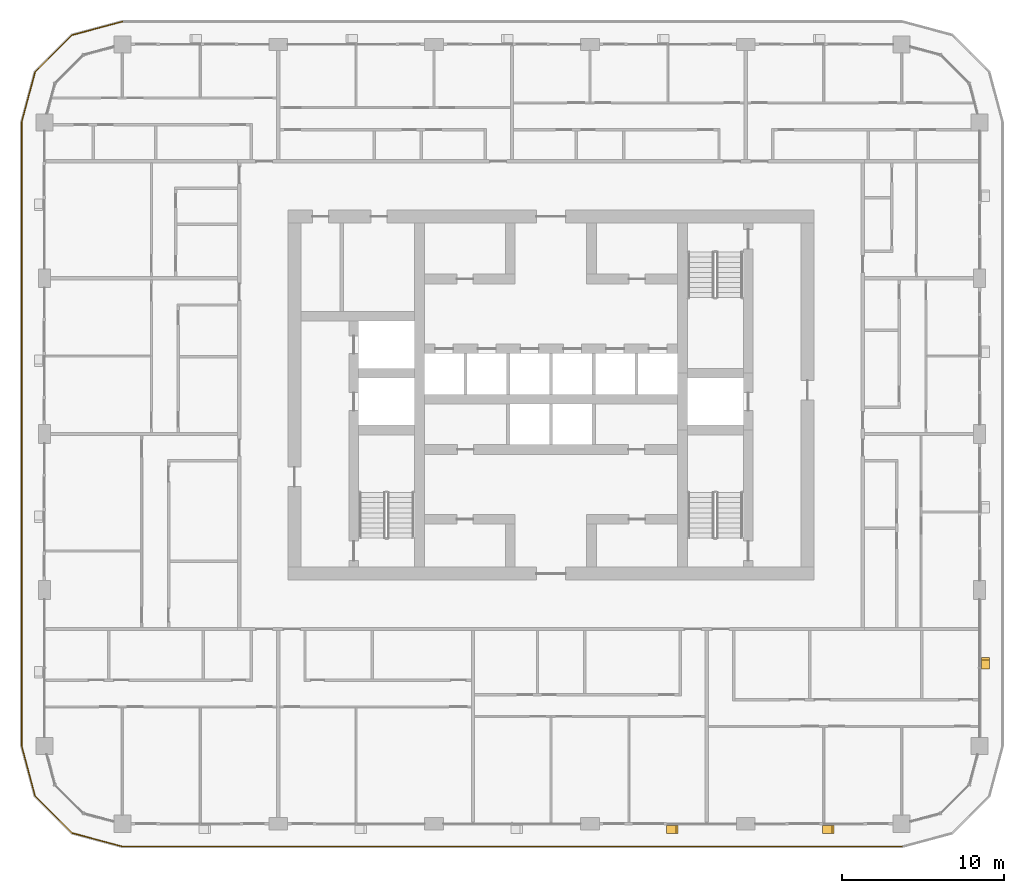
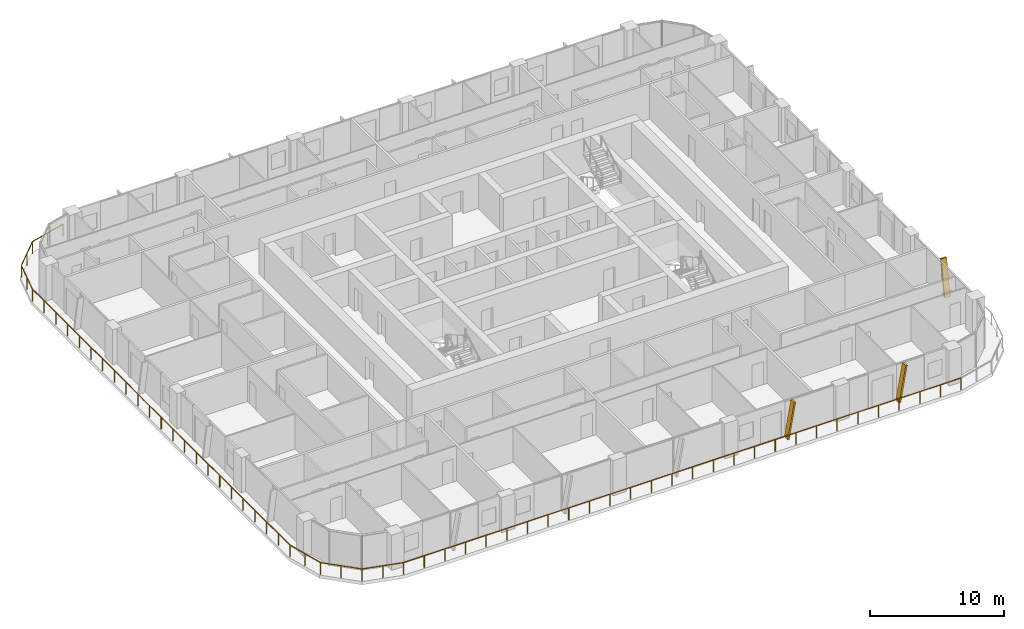
# One storey, part 19 of 22: 3 shading devices, 1 railing.
"""IFC4 building model written with IfcOpenShell, lengths in metres."""

import ifcopenshell
import ifcopenshell.guid

model = None  # the IFC model being written
_history = None  # IfcOwnerHistory: only IFC2X3 demands one
_inside = {}  # id of a spatial element -> (the spatial element, [elements in it])
_under = {}  # id of a project, library or spatial element -> (it, [spatial elements below it])
_declared = {}  # id of a project -> (the project, [libraries it declares])
_typed = {}  # id of a type object -> (the type object, [elements of that type])
_made_of = {}  # id of a material, layer set ... -> (it, [elements and type objects made of it])


def new_model(schema):
    """Start an empty IFC model of exactly this schema.

    Asked for "IFC4X3", IfcOpenShell would pick the latest addendum, in which some entities
    have other attributes; the version numbers below select the first issue.
    IFC2X3 requires an IfcOwnerHistory on every rooted entity: one is made here for all.
    """
    global model, _history
    if schema == "IFC4X3":
        model = ifcopenshell.file(schema_version=(4, 3, 0, 0))
    else:
        model = ifcopenshell.file(schema=schema)
    _inside.clear()
    _under.clear()
    _declared.clear()
    _typed.clear()
    _made_of.clear()
    _history = None
    if model.schema == "IFC2X3":
        org = make("IfcOrganization", Name="unknown")
        user = make(
            "IfcPersonAndOrganization",
            ThePerson=make("IfcPerson", FamilyName="unknown"),
            TheOrganization=org,
        )
        app = make(
            "IfcApplication",
            ApplicationDeveloper=org,
            Version="unknown",
            ApplicationFullName="unknown",
            ApplicationIdentifier="unknown",
        )
        _history = make(
            "IfcOwnerHistory",
            OwningUser=user,
            OwningApplication=app,
            ChangeAction="ADDED",
            CreationDate=0,
        )
    return model


def make(cls, **values):
    """One entity of the class cls with the attributes given. An attribute that is None is left unset."""
    return model.create_entity(
        cls, **{name: value for name, value in values.items() if value is not None}
    )


def rooted(cls, **values):
    """An entity with a GlobalId (a new one), such as an element, a storey or a relation."""
    return make(cls, GlobalId=ifcopenshell.guid.new(), OwnerHistory=_history, **values)


def si_unit(unit_type, name, prefix=None):
    """IfcSIUnit, for example si_unit("LENGTHUNIT", "METRE", prefix="MILLI")."""
    return make("IfcSIUnit", UnitType=unit_type, Prefix=prefix, Name=name)


def assignment(units):
    """IfcUnitAssignment: the units of a project."""
    return None if units is None else make("IfcUnitAssignment", Units=units)


def point(xyz):
    """IfcCartesianPoint."""
    return None if xyz is None else make("IfcCartesianPoint", Coordinates=xyz)


def direction(xyz):
    """IfcDirection."""
    return None if xyz is None else make("IfcDirection", DirectionRatios=xyz)


def frame(location, z_axis=None, x_axis=None):
    """IfcAxis2Placement3D, a coordinate frame: its origin and axes. An axis left out is left unset."""
    return make(
        "IfcAxis2Placement3D",
        Location=point(location),
        Axis=direction(z_axis),
        RefDirection=direction(x_axis),
    )


def frame_2d(location, x_axis=None):
    """IfcAxis2Placement2D, a coordinate frame in the plane: its origin and x axis."""
    return make(
        "IfcAxis2Placement2D", Location=point(location), RefDirection=direction(x_axis)
    )


def origin():
    """The frame at (0, 0, 0) with its axes left unset."""
    return frame((0.0, 0.0, 0.0))


def origin_2d():
    """The frame at (0, 0) in the plane with its x axis left unset."""
    return frame_2d((0.0, 0.0))


def place(relative_to, where):
    """IfcLocalPlacement: puts the frame where relative to a parent placement (None: the world)."""
    return make(
        "IfcLocalPlacement", PlacementRelTo=relative_to, RelativePlacement=where
    )


def context(
    kind, dimensions, precision=None, world=None, true_north=None, identifier=None
):
    """IfcGeometricRepresentationContext, for example the 3D "Model" context."""
    return make(
        "IfcGeometricRepresentationContext",
        ContextIdentifier=identifier,
        ContextType=kind,
        CoordinateSpaceDimension=dimensions,
        Precision=precision,
        WorldCoordinateSystem=world,
        TrueNorth=true_north,
    )


def subcontext(parent, identifier, kind, view, scale=None):
    """IfcGeometricRepresentationSubContext, for example "Body" below "Model"."""
    return make(
        "IfcGeometricRepresentationSubContext",
        ContextIdentifier=identifier,
        ContextType=kind,
        ParentContext=parent,
        TargetScale=scale,
        TargetView=view,
    )


def project(units=None, contexts=None):
    """IfcProject with its units and contexts."""
    return rooted(
        "IfcProject",
        Name="project",
        RepresentationContexts=contexts,
        UnitsInContext=assignment(units),
    )


def spatial(cls, under=None, at=None, **own):
    """A site, building, storey or space (cls), placed at a placement, below another one or the project."""
    s = rooted(cls, ObjectPlacement=at, **own)
    if under is not None:
        _under.setdefault(under.id(), (under, []))[1].append(s)
    return s


def polyline(points):
    """IfcPolyline through the points."""
    return make("IfcPolyline", Points=[point(p) for p in points])


def profile(cls, at=None, kind="AREA", **sizes):
    """A parametric profile (cls). Its sizes go by their IFC names, for example OverallWidth=200.0."""
    return make(cls, ProfileType=kind, Position=at, **sizes)


def circle(**sizes):
    """IfcCircleProfileDef."""
    return profile("IfcCircleProfileDef", **sizes)


def outline(outer, holes=None, kind="AREA"):
    """IfcArbitraryClosedProfileDef: a profile drawn as a closed curve; with holes, ...WithVoids."""
    if holes is None:
        return make("IfcArbitraryClosedProfileDef", ProfileType=kind, OuterCurve=outer)
    return make(
        "IfcArbitraryProfileDefWithVoids",
        ProfileType=kind,
        OuterCurve=outer,
        InnerCurves=holes,
    )


def extrude(swept, where, along, depth):
    """IfcExtrudedAreaSolid: the profile swept, set in the frame where, extruded along a direction by depth."""
    return make(
        "IfcExtrudedAreaSolid",
        SweptArea=swept,
        Position=where,
        ExtrudedDirection=direction(along),
        Depth=depth,
    )


def shape(context_of_items, identifier, shape_type, items):
    """IfcShapeRepresentation: the items that make up one representation, for example the "Body"."""
    return make(
        "IfcShapeRepresentation",
        ContextOfItems=context_of_items,
        RepresentationIdentifier=identifier,
        RepresentationType=shape_type,
        Items=items,
    )


def material(Name=None, Category=None):
    """IfcMaterial."""
    return make("IfcMaterial", Name=Name, Category=Category)


def made_of(thing, what):
    """Note that an element or type object is made of a material, layer set ...; save() writes the relation."""
    if what is not None:
        _made_of.setdefault(what.id(), (what, []))[1].append(thing)
    return thing


def type_object(cls, material=None, **own):
    """A type object (cls), such as IfcWallType, which elements share."""
    return made_of(rooted(cls, **own), material)


def element(
    cls,
    number,
    at=None,
    inside=None,
    cuts=None,
    type_object=None,
    material=None,
    context=None,
    identifier="Body",
    shape_type=None,
    held_by="IfcProductDefinitionShape",
    body=None,
    shapes=None,
    **own,
):
    """One element of the class cls, such as IfcWall. Its Tag is "e" and its number.

    at: its placement. inside: the storey or other place that contains it. cuts: it is an
    opening in that element (IfcRelVoidsElement). A single representation is given by context,
    identifier, shape_type and body (its items); several are given by shapes. held_by: the class
    of the entity that holds the representations. save() writes the other relations.
    """
    e = rooted(cls, Tag="e%d" % number, ObjectPlacement=at, **own)
    if body is not None:
        shapes = [shape(context, identifier, shape_type, body)]
    if shapes is not None:
        e.Representation = make(held_by, Representations=shapes)
    if inside is not None:
        _inside.setdefault(inside.id(), (inside, []))[1].append(e)
    if cuts is not None:
        rooted(
            "IfcRelVoidsElement", RelatingBuildingElement=cuts, RelatedOpeningElement=e
        )
    if type_object is not None:
        _typed.setdefault(type_object.id(), (type_object, []))[1].append(e)
    return made_of(e, material)


def aggregate(whole, parts):
    """IfcRelAggregates: a whole, such as a stair, and the parts it consists of."""
    return rooted("IfcRelAggregates", RelatingObject=whole, RelatedObjects=parts)


def save(model, path):
    """Write the relations noted so far, then the file.

    IfcRelAggregates (storeys below a building ...), IfcRelContainedInSpatialStructure (elements
    in a storey), IfcRelDefinesByType, IfcRelAssociatesMaterial and IfcRelDeclares: one each for
    every whole, place, type object, material and project.
    """
    for whole, parts in _under.values():
        aggregate(whole, parts)
    for where, things in _inside.values():
        rooted(
            "IfcRelContainedInSpatialStructure",
            RelatedElements=things,
            RelatingStructure=where,
        )
    for kind, things in _typed.values():
        rooted("IfcRelDefinesByType", RelatedObjects=things, RelatingType=kind)
    for what, things in _made_of.values():
        rooted("IfcRelAssociatesMaterial", RelatedObjects=things, RelatingMaterial=what)
    for by, libraries in _declared.values():
        rooted("IfcRelDeclares", RelatingContext=by, RelatedDefinitions=libraries)
    model.write(path)


model = new_model("IFC4")

# Units and contexts
model_context = context("Model", 3, precision=1e-05, world=origin(), true_north=direction((0.0, 1.0)))
body_context = subcontext(model_context, "Body", "Model", "MODEL_VIEW")
ifc_project = project(units=[si_unit("LENGTHUNIT", "METRE"), si_unit("AREAUNIT", "SQUARE_METRE"), si_unit("VOLUMEUNIT", "CUBIC_METRE"), si_unit("PLANEANGLEUNIT", "RADIAN"), si_unit("MASSUNIT", "GRAM", prefix="KILO")], contexts=[model_context])

# Site, building, storey
site_placement = place(None, origin())
site = spatial("IfcSite", under=ifc_project, at=site_placement, CompositionType="ELEMENT")
building_placement = place(site_placement, origin())
building = spatial("IfcBuilding", under=site, at=building_placement, Name="Madar Terraces", CompositionType="ELEMENT")
storey_placement = place(building_placement, frame((0.0, 0.0, 152.5)))
storey = spatial("IfcBuildingStorey", under=building, at=storey_placement, Name="L39", CompositionType="ELEMENT", Elevation=152.5)

# Railing
ifc_material_1 = material(Name="Glass, safety glazing, with stainless steel posts", Category="steel")
railing_type = type_object("IfcRailingType", Name="Balcony glass guard 1100", PredefinedType="GUARDRAIL", material=ifc_material_1)
railing_placement = place(storey_placement, frame((4.800048828125, 49.39990234375, 0.0)))
element("IfcRailing", 1, at=railing_placement, inside=storey, type_object=railing_type, Name="Balcony guard", PredefinedType="GUARDRAIL", context=body_context, shape_type="SweptSolid", body=[
    extrude(circle(Radius=0.02392578125, at=origin_2d()), frame((0.0, 0.0, 1.076171875), z_axis=(-0.9659337912, -0.258789317819, 0.0), x_axis=(0.258789317819, -0.9659337912, 0.0)), (0.0, 0.0, 1.0), 3.20947265625),
    extrude(circle(Radius=0.02392578125, at=origin_2d()), frame((-3.10009765625, -0.83056640625, 1.076171875), z_axis=(-0.707106781187, -0.707106781187, 0.0), x_axis=(0.707106781187, -0.707106781187, 0.0)), (0.0, 0.0, 1.0), 3.209228515625),
    extrude(circle(Radius=0.02392578125, at=origin_2d()), frame((-5.369384765625, -3.099853515625, 1.076171875), z_axis=(-0.258789317819, -0.9659337912, 0.0), x_axis=(0.9659337912, -0.258789317819, 0.0)), (0.0, 0.0, 1.0), 3.20947265625),
    extrude(circle(Radius=0.02392578125, at=origin_2d()), frame((-6.199951171875, -6.199951171875, 1.076171875), z_axis=(0.0, -1.0, 0.0), x_axis=(1.0, 0.0, 0.0)), (0.0, 0.0, 1.0), 38.39990234375),
    extrude(circle(Radius=0.02392578125, at=origin_2d()), frame((-6.199951171875, -44.599853515625, 1.076171875), z_axis=(0.258789317819, -0.9659337912, 0.0), x_axis=(0.9659337912, 0.258789317819, 0.0)), (0.0, 0.0, 1.0), 3.20947265625),
    extrude(circle(Radius=0.02392578125, at=origin_2d()), frame((-5.369384765625, -47.699951171875, 1.076171875), z_axis=(0.707106781187, -0.707106781187, 0.0), x_axis=(0.707106781187, 0.707106781187, 0.0)), (0.0, 0.0, 1.0), 3.209228515625),
    extrude(circle(Radius=0.02392578125, at=origin_2d()), frame((-3.10009765625, -49.96923828125, 1.076171875), z_axis=(0.9659337912, -0.258789317819, 0.0), x_axis=(0.258789317819, 0.9659337912, 0.0)), (0.0, 0.0, 1.0), 3.20947265625),
    extrude(circle(Radius=0.02392578125, at=origin_2d()), frame((0.0, -50.7998046875, 1.076171875), z_axis=(1.0, 0.0, 0.0), x_axis=(0.0, 1.0, 0.0)), (0.0, 0.0, 1.0), 48.0),
    extrude(circle(Radius=0.02099609375, at=origin_2d()), origin(), (0.0, 0.0, 1.0), 1.052001953125),
    extrude(circle(Radius=0.02099609375, at=origin_2d()), frame((-1.550048828125, -0.415283203125, 0.0)), (0.0, 0.0, 1.0), 1.052001953125),
    extrude(circle(Radius=0.02099609375, at=origin_2d()), frame((-3.10009765625, -0.83056640625, 0.0)), (0.0, 0.0, 1.0), 1.052001953125),
    extrude(circle(Radius=0.02099609375, at=origin_2d()), frame((-4.23486328125, -1.96533203125, 0.0)), (0.0, 0.0, 1.0), 1.052001953125),
    extrude(circle(Radius=0.02099609375, at=origin_2d()), frame((-5.369384765625, -3.099853515625, 0.0)), (0.0, 0.0, 1.0), 1.052001953125),
    extrude(circle(Radius=0.02099609375, at=origin_2d()), frame((-5.78466796875, -4.64990234375, 0.0)), (0.0, 0.0, 1.0), 1.052001953125),
    extrude(circle(Radius=0.02099609375, at=origin_2d()), frame((-6.199951171875, -6.199951171875, 0.0)), (0.0, 0.0, 1.0), 1.052001953125),
    extrude(circle(Radius=0.02099609375, at=origin_2d()), frame((-6.199951171875, -7.9453125, 0.0)), (0.0, 0.0, 1.0), 1.052001953125),
    extrude(circle(Radius=0.02099609375, at=origin_2d()), frame((-6.199951171875, -9.69091796875, 0.0)), (0.0, 0.0, 1.0), 1.052001953125),
    extrude(circle(Radius=0.02099609375, at=origin_2d()), frame((-6.199951171875, -11.436279296875, 0.0)), (0.0, 0.0, 1.0), 1.052001953125),
    extrude(circle(Radius=0.02099609375, at=origin_2d()), frame((-6.199951171875, -13.181640625, 0.0)), (0.0, 0.0, 1.0), 1.052001953125),
    extrude(circle(Radius=0.02099609375, at=origin_2d()), frame((-6.199951171875, -14.92724609375, 0.0)), (0.0, 0.0, 1.0), 1.052001953125),
    extrude(circle(Radius=0.02099609375, at=origin_2d()), frame((-6.199951171875, -16.672607421875, 0.0)), (0.0, 0.0, 1.0), 1.052001953125),
    extrude(circle(Radius=0.02099609375, at=origin_2d()), frame((-6.199951171875, -18.418212890625, 0.0)), (0.0, 0.0, 1.0), 1.052001953125),
    extrude(circle(Radius=0.02099609375, at=origin_2d()), frame((-6.199951171875, -20.16357421875, 0.0)), (0.0, 0.0, 1.0), 1.052001953125),
    extrude(circle(Radius=0.02099609375, at=origin_2d()), frame((-6.199951171875, -21.908935546875, 0.0)), (0.0, 0.0, 1.0), 1.052001953125),
    extrude(circle(Radius=0.02099609375, at=origin_2d()), frame((-6.199951171875, -23.654541015625, 0.0)), (0.0, 0.0, 1.0), 1.052001953125),
    extrude(circle(Radius=0.02099609375, at=origin_2d()), frame((-6.199951171875, -25.39990234375, 0.0)), (0.0, 0.0, 1.0), 1.052001953125),
    extrude(circle(Radius=0.02099609375, at=origin_2d()), frame((-6.199951171875, -27.145263671875, 0.0)), (0.0, 0.0, 1.0), 1.052001953125),
    extrude(circle(Radius=0.02099609375, at=origin_2d()), frame((-6.199951171875, -28.890869140625, 0.0)), (0.0, 0.0, 1.0), 1.052001953125),
    extrude(circle(Radius=0.02099609375, at=origin_2d()), frame((-6.199951171875, -30.63623046875, 0.0)), (0.0, 0.0, 1.0), 1.052001953125),
    extrude(circle(Radius=0.02099609375, at=origin_2d()), frame((-6.199951171875, -32.381591796875, 0.0)), (0.0, 0.0, 1.0), 1.052001953125),
    extrude(circle(Radius=0.02099609375, at=origin_2d()), frame((-6.199951171875, -34.127197265625, 0.0)), (0.0, 0.0, 1.0), 1.052001953125),
    extrude(circle(Radius=0.02099609375, at=origin_2d()), frame((-6.199951171875, -35.87255859375, 0.0)), (0.0, 0.0, 1.0), 1.052001953125),
    extrude(circle(Radius=0.02099609375, at=origin_2d()), frame((-6.199951171875, -37.6181640625, 0.0)), (0.0, 0.0, 1.0), 1.052001953125),
    extrude(circle(Radius=0.02099609375, at=origin_2d()), frame((-6.199951171875, -39.363525390625, 0.0)), (0.0, 0.0, 1.0), 1.052001953125),
    extrude(circle(Radius=0.02099609375, at=origin_2d()), frame((-6.199951171875, -41.10888671875, 0.0)), (0.0, 0.0, 1.0), 1.052001953125),
    extrude(circle(Radius=0.02099609375, at=origin_2d()), frame((-6.199951171875, -42.8544921875, 0.0)), (0.0, 0.0, 1.0), 1.052001953125),
    extrude(circle(Radius=0.02099609375, at=origin_2d()), frame((-6.199951171875, -44.599853515625, 0.0)), (0.0, 0.0, 1.0), 1.052001953125),
    extrude(circle(Radius=0.02099609375, at=origin_2d()), frame((-5.78466796875, -46.14990234375, 0.0)), (0.0, 0.0, 1.0), 1.052001953125),
    extrude(circle(Radius=0.02099609375, at=origin_2d()), frame((-5.369384765625, -47.699951171875, 0.0)), (0.0, 0.0, 1.0), 1.052001953125),
    extrude(circle(Radius=0.02099609375, at=origin_2d()), frame((-4.23486328125, -48.83447265625, 0.0)), (0.0, 0.0, 1.0), 1.052001953125),
    extrude(circle(Radius=0.02099609375, at=origin_2d()), frame((-3.10009765625, -49.96923828125, 0.0)), (0.0, 0.0, 1.0), 1.052001953125),
    extrude(circle(Radius=0.02099609375, at=origin_2d()), frame((-1.550048828125, -50.384521484375, 0.0)), (0.0, 0.0, 1.0), 1.052001953125),
    extrude(circle(Radius=0.02099609375, at=origin_2d()), frame((0.0, -50.7998046875, 0.0)), (0.0, 0.0, 1.0), 1.052001953125),
    extrude(circle(Radius=0.02099609375, at=origin_2d()), frame((1.77783203125, -50.7998046875, 0.0)), (0.0, 0.0, 1.0), 1.052001953125),
    extrude(circle(Radius=0.02099609375, at=origin_2d()), frame((3.5556640625, -50.7998046875, 0.0)), (0.0, 0.0, 1.0), 1.052001953125),
    extrude(circle(Radius=0.02099609375, at=origin_2d()), frame((5.333251953125, -50.7998046875, 0.0)), (0.0, 0.0, 1.0), 1.052001953125),
    extrude(circle(Radius=0.02099609375, at=origin_2d()), frame((7.111083984375, -50.7998046875, 0.0)), (0.0, 0.0, 1.0), 1.052001953125),
    extrude(circle(Radius=0.02099609375, at=origin_2d()), frame((8.888916015625, -50.7998046875, 0.0)), (0.0, 0.0, 1.0), 1.052001953125),
    extrude(circle(Radius=0.02099609375, at=origin_2d()), frame((10.666748046875, -50.7998046875, 0.0)), (0.0, 0.0, 1.0), 1.052001953125),
    extrude(circle(Radius=0.02099609375, at=origin_2d()), frame((12.4443359375, -50.7998046875, 0.0)), (0.0, 0.0, 1.0), 1.052001953125),
    extrude(circle(Radius=0.02099609375, at=origin_2d()), frame((14.22216796875, -50.7998046875, 0.0)), (0.0, 0.0, 1.0), 1.052001953125),
    extrude(circle(Radius=0.02099609375, at=origin_2d()), frame((16.0, -50.7998046875, 0.0)), (0.0, 0.0, 1.0), 1.052001953125),
    extrude(circle(Radius=0.02099609375, at=origin_2d()), frame((17.77783203125, -50.7998046875, 0.0)), (0.0, 0.0, 1.0), 1.052001953125),
    extrude(circle(Radius=0.02099609375, at=origin_2d()), frame((19.5556640625, -50.7998046875, 0.0)), (0.0, 0.0, 1.0), 1.052001953125),
    extrude(circle(Radius=0.02099609375, at=origin_2d()), frame((21.333251953125, -50.7998046875, 0.0)), (0.0, 0.0, 1.0), 1.052001953125),
    extrude(circle(Radius=0.02099609375, at=origin_2d()), frame((23.111083984375, -50.7998046875, 0.0)), (0.0, 0.0, 1.0), 1.052001953125),
    extrude(circle(Radius=0.02099609375, at=origin_2d()), frame((24.888916015625, -50.7998046875, 0.0)), (0.0, 0.0, 1.0), 1.052001953125),
    extrude(circle(Radius=0.02099609375, at=origin_2d()), frame((26.666748046875, -50.7998046875, 0.0)), (0.0, 0.0, 1.0), 1.052001953125),
    extrude(circle(Radius=0.02099609375, at=origin_2d()), frame((28.4443359375, -50.7998046875, 0.0)), (0.0, 0.0, 1.0), 1.052001953125),
    extrude(circle(Radius=0.02099609375, at=origin_2d()), frame((30.22216796875, -50.7998046875, 0.0)), (0.0, 0.0, 1.0), 1.052001953125),
    extrude(circle(Radius=0.02099609375, at=origin_2d()), frame((32.0, -50.7998046875, 0.0)), (0.0, 0.0, 1.0), 1.052001953125),
    extrude(circle(Radius=0.02099609375, at=origin_2d()), frame((33.77783203125, -50.7998046875, 0.0)), (0.0, 0.0, 1.0), 1.052001953125),
    extrude(circle(Radius=0.02099609375, at=origin_2d()), frame((35.5556640625, -50.7998046875, 0.0)), (0.0, 0.0, 1.0), 1.052001953125),
    extrude(circle(Radius=0.02099609375, at=origin_2d()), frame((37.333251953125, -50.7998046875, 0.0)), (0.0, 0.0, 1.0), 1.052001953125),
    extrude(circle(Radius=0.02099609375, at=origin_2d()), frame((39.111083984375, -50.7998046875, 0.0)), (0.0, 0.0, 1.0), 1.052001953125),
    extrude(circle(Radius=0.02099609375, at=origin_2d()), frame((40.888916015625, -50.7998046875, 0.0)), (0.0, 0.0, 1.0), 1.052001953125),
    extrude(circle(Radius=0.02099609375, at=origin_2d()), frame((42.666748046875, -50.7998046875, 0.0)), (0.0, 0.0, 1.0), 1.052001953125),
    extrude(circle(Radius=0.02099609375, at=origin_2d()), frame((44.4443359375, -50.7998046875, 0.0)), (0.0, 0.0, 1.0), 1.052001953125),
    extrude(circle(Radius=0.02099609375, at=origin_2d()), frame((46.22216796875, -50.7998046875, 0.0)), (0.0, 0.0, 1.0), 1.052001953125),
    extrude(circle(Radius=0.02099609375, at=origin_2d()), frame((48.0, -50.7998046875, 0.0)), (0.0, 0.0, 1.0), 1.052001953125),
])

# Shading devices
ifc_material_2 = material(Name="Aluminium, black anodised", Category="aluminium")
shading_device_type = type_object("IfcShadingDeviceType", Name="Facade fin blade 140 x 500", PredefinedType="USERDEFINED", material=ifc_material_2)
shading_device_1_placement = place(storey_placement, frame((38.330078125, -0.35009765625, 0.0), z_axis=(0.0, 0.0, 1.0), x_axis=(1.0, 0.0, 0.0)))
element("IfcShadingDevice", 2, at=shading_device_1_placement, inside=storey, type_object=shading_device_type, Name="FIN L39 S4", ObjectType="FIN", PredefinedType="USERDEFINED", context=body_context, shape_type="SweptSolid", body=[
    extrude(outline(polyline([(0.0, 0.0), (0.139892578125, 0.0), (0.704345703125, 3.199951171875), (0.564208984375, 3.199951171875), (0.0, 0.0)])), frame((0.0, 0.25, 0.0), z_axis=(0.0, -1.0, 0.0), x_axis=(1.0, 0.0, 0.0)), (0.0, 0.0, 1.0), 0.5),
])
shading_device_2_placement = place(storey_placement, frame((47.929931640625, -0.35009765625, 0.0), z_axis=(0.0, 0.0, 1.0), x_axis=(1.0, 0.0, 0.0)))
element("IfcShadingDevice", 3, at=shading_device_2_placement, inside=storey, type_object=shading_device_type, Name="FIN L39 S5", ObjectType="FIN", PredefinedType="USERDEFINED", context=body_context, shape_type="SweptSolid", body=[
    extrude(outline(polyline([(0.0, 0.0), (0.14013671875, 0.0), (0.704345703125, 3.199951171875), (0.564208984375, 3.199951171875), (0.0, 0.0)])), frame((0.0, 0.25, 0.0), z_axis=(0.0, -1.0, 0.0), x_axis=(1.0, 0.0, 0.0)), (0.0, 0.0, 1.0), 0.5),
])
shading_device_3_placement = place(storey_placement, frame((57.949951171875, 9.530029296875, 0.0), z_axis=(0.0, 0.0, 1.0), x_axis=(0.0, 1.0, 0.0)))
element("IfcShadingDevice", 4, at=shading_device_3_placement, inside=storey, type_object=shading_device_type, Name="FIN L39 E1", ObjectType="FIN", PredefinedType="USERDEFINED", context=body_context, shape_type="SweptSolid", body=[
    extrude(outline(polyline([(0.0, 0.0), (0.139892578125, 0.0), (0.704345703125, 3.199951171875), (0.564208984375, 3.199951171875), (0.0, 0.0)])), frame((0.0, 0.25, 0.0), z_axis=(0.0, -1.0, 0.0), x_axis=(1.0, 0.0, 0.0)), (0.0, 0.0, 1.0), 0.5),
])

save(model, "model.ifc")
